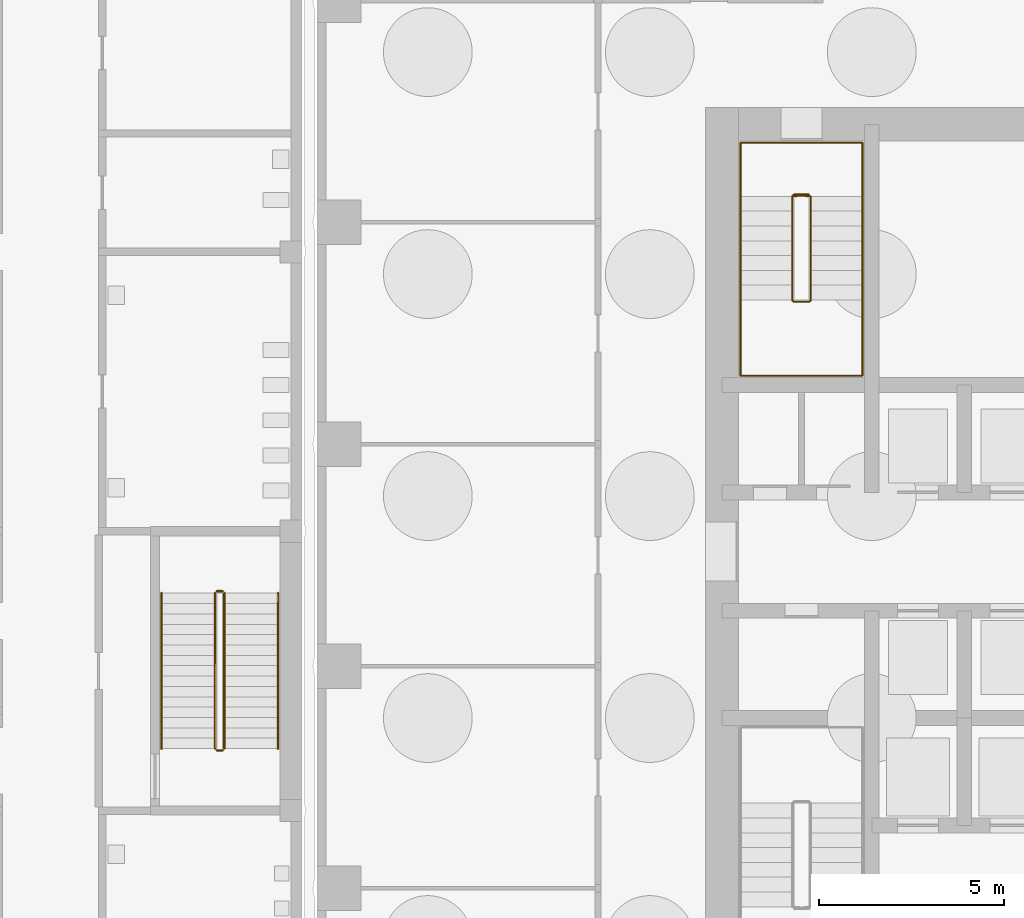
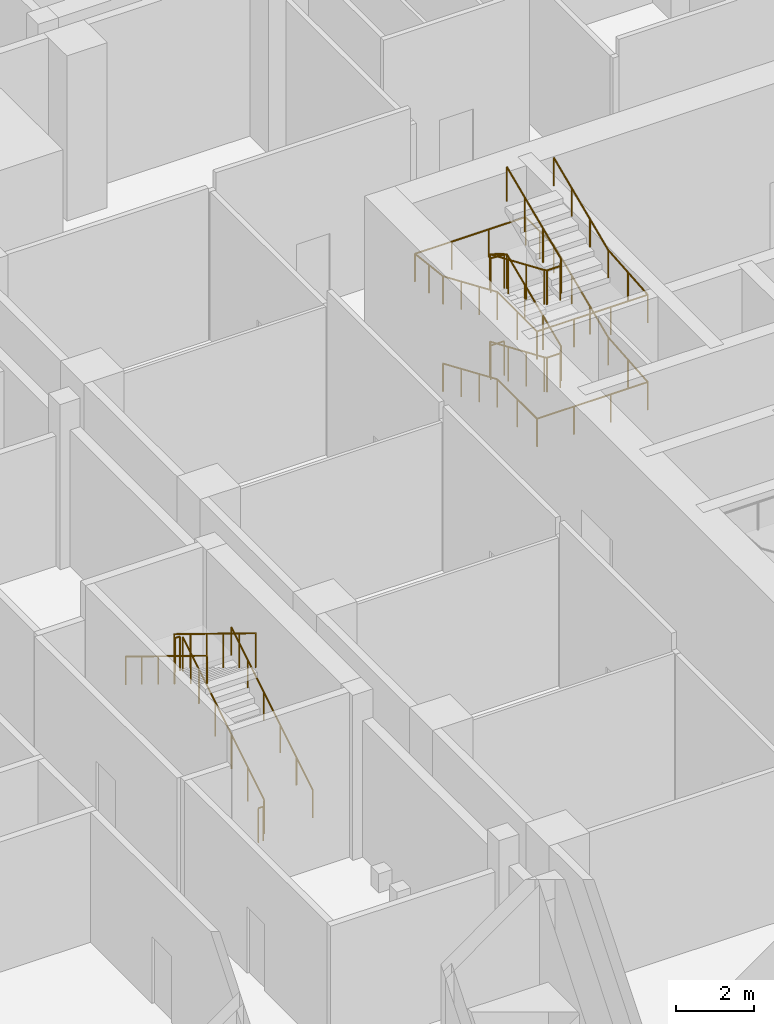
# One storey, part 26 of 33: 8 railings.
"""IFC4 building model written with IfcOpenShell, lengths in metres."""

from ifc_helpers import new_model, si_unit, direction, frame, origin, origin_2d, place, context, subcontext, project, spatial, circle, extrude, material, type_object, element, save


model = new_model("IFC4")

# Units and contexts
model_context = context("Model", 3, precision=1e-05, world=origin(), true_north=direction((0.0, 1.0)))
body_context = subcontext(model_context, "Body", "Model", "MODEL_VIEW")
ifc_project = project(units=[si_unit("LENGTHUNIT", "METRE"), si_unit("AREAUNIT", "SQUARE_METRE"), si_unit("VOLUMEUNIT", "CUBIC_METRE"), si_unit("PLANEANGLEUNIT", "RADIAN"), si_unit("MASSUNIT", "GRAM", prefix="KILO")], contexts=[model_context])

# Site, building, storey
site_placement = place(None, origin())
site = spatial("IfcSite", under=ifc_project, at=site_placement, CompositionType="ELEMENT")
building_placement = place(site_placement, origin())
building = spatial("IfcBuilding", under=site, at=building_placement, Name="Amberfall Residences", CompositionType="ELEMENT")
storey_placement = place(building_placement, origin())
storey = spatial("IfcBuildingStorey", under=building, at=storey_placement, Name="L00", CompositionType="ELEMENT", Elevation=0.0)

# Railings
ifc_material_1 = material(Name="Stainless steel", Category="steel")
railing_type_1 = type_object("IfcRailingType", Name="School stair guard 1100", PredefinedType="GUARDRAIL", material=ifc_material_1)
railing_1_placement = place(storey_placement, frame((49.5, 40.175048828125, 0.171875)))
element("IfcRailing", 1, at=railing_1_placement, inside=storey, type_object=railing_type_1, Name="L00 SS2 stair guard 1", PredefinedType="GUARDRAIL", context=body_context, shape_type="SweptSolid", body=[
    extrude(circle(Radius=0.02392578125, at=origin_2d()), frame((0.0, 0.0, 1.076171875), z_axis=(0.0, 0.852242915053, 0.523146264196), x_axis=(-1.0, 0.0, 0.0)), (0.0, 0.0, 1.0), 4.92822265625),
    extrude(circle(Radius=0.02099609375, at=origin_2d()), origin(), (0.0, 0.0, 1.0), 1.052001953125),
    extrude(circle(Radius=0.02099609375, at=origin_2d()), frame((0.0, 0.840087890625, 0.515625)), (0.0, 0.0, 1.0), 1.052001953125),
    extrude(circle(Radius=0.02099609375, at=origin_2d()), frame((0.0, 1.679931640625, 1.03125)), (0.0, 0.0, 1.0), 1.052001953125),
    extrude(circle(Radius=0.02099609375, at=origin_2d()), frame((0.0, 2.52001953125, 1.546875)), (0.0, 0.0, 1.0), 1.052001953125),
    extrude(circle(Radius=0.02099609375, at=origin_2d()), frame((0.0, 3.35986328125, 2.0625)), (0.0, 0.0, 1.0), 1.052001953125),
    extrude(circle(Radius=0.02099609375, at=origin_2d()), frame((0.0, 4.199951171875, 2.578125)), (0.0, 0.0, 1.0), 1.052001953125),
])
railing_2_placement = place(storey_placement, frame((49.449951171875, 44.425048828125, 2.75)))
element("IfcRailing", 2, at=railing_2_placement, inside=storey, type_object=railing_type_1, Name="L00 SS2 stair guard 2", PredefinedType="GUARDRAIL", context=body_context, shape_type="SweptSolid", body=[
    extrude(circle(Radius=0.02392578125, at=origin_2d()), frame((0.0, 0.0, 1.076171875), z_axis=(-1.0, 0.0, 0.0), x_axis=(0.0, -1.0, 0.0)), (0.0, 0.0, 1.0), 0.14990234375),
    extrude(circle(Radius=0.02099609375, at=origin_2d()), origin(), (0.0, 0.0, 1.0), 1.052001953125),
    extrude(circle(Radius=0.02099609375, at=origin_2d()), frame((-0.14990234375, 0.0, 0.0)), (0.0, 0.0, 1.0), 1.052001953125),
])
railing_3_placement = place(storey_placement, frame((49.25, 44.375, 2.921875)))
element("IfcRailing", 3, at=railing_3_placement, inside=storey, type_object=railing_type_1, Name="L00 SS2 stair guard 3", PredefinedType="GUARDRAIL", context=body_context, shape_type="SweptSolid", body=[
    extrude(circle(Radius=0.02392578125, at=origin_2d()), frame((0.0, 0.0, 1.076171875), z_axis=(0.0, -0.852242915053, 0.523146264196), x_axis=(1.0, 0.0, 0.0)), (0.0, 0.0, 1.0), 4.92822265625),
    extrude(circle(Radius=0.02099609375, at=origin_2d()), origin(), (0.0, 0.0, 1.0), 1.052001953125),
    extrude(circle(Radius=0.02099609375, at=origin_2d()), frame((0.0, -0.840087890625, 0.515625)), (0.0, 0.0, 1.0), 1.052001953125),
    extrude(circle(Radius=0.02099609375, at=origin_2d()), frame((0.0, -1.679931640625, 1.03125)), (0.0, 0.0, 1.0), 1.052001953125),
    extrude(circle(Radius=0.02099609375, at=origin_2d()), frame((0.0, -2.52001953125, 1.546875)), (0.0, 0.0, 1.0), 1.052001953125),
    extrude(circle(Radius=0.02099609375, at=origin_2d()), frame((0.0, -3.35986328125, 2.0625)), (0.0, 0.0, 1.0), 1.052001953125),
    extrude(circle(Radius=0.02099609375, at=origin_2d()), frame((0.0, -4.199951171875, 2.578125)), (0.0, 0.0, 1.0), 1.052001953125),
])
railing_4_placement = place(storey_placement, frame((49.449951171875, 40.125, 0.0)))
element("IfcRailing", 4, at=railing_4_placement, inside=storey, type_object=railing_type_1, Name="L00 SS2 stair guard 4", PredefinedType="GUARDRAIL", context=body_context, shape_type="SweptSolid", body=[
    extrude(circle(Radius=0.02392578125, at=origin_2d()), frame((0.0, 0.0, 1.076171875), z_axis=(-1.0, 0.0, 0.0), x_axis=(0.0, -1.0, 0.0)), (0.0, 0.0, 1.0), 0.14990234375),
    extrude(circle(Radius=0.02099609375, at=origin_2d()), origin(), (0.0, 0.0, 1.0), 1.052001953125),
    extrude(circle(Radius=0.02099609375, at=origin_2d()), frame((-0.14990234375, 0.0, 0.0)), (0.0, 0.0, 1.0), 1.052001953125),
])
railing_type_2 = type_object("IfcRailingType", Name="School stair handrail", PredefinedType="HANDRAIL", material=ifc_material_1)
railing_5_placement = place(storey_placement, frame((50.949951171875, 40.175048828125, 0.171875)))
element("IfcRailing", 5, at=railing_5_placement, inside=storey, type_object=railing_type_2, Name="L00 SS2 stair handrail 1", PredefinedType="HANDRAIL", context=body_context, shape_type="SweptSolid", body=[
    extrude(circle(Radius=0.02392578125, at=origin_2d()), frame((0.0, 0.0, 0.8759765625), z_axis=(0.0, 0.852242915053, 0.523146264196), x_axis=(-1.0, 0.0, 0.0)), (0.0, 0.0, 1.0), 4.92822265625),
    extrude(circle(Radius=0.02099609375, at=origin_2d()), origin(), (0.0, 0.0, 1.0), 0.851806640625),
    extrude(circle(Radius=0.02099609375, at=origin_2d()), frame((0.0, 0.840087890625, 0.515625)), (0.0, 0.0, 1.0), 0.851806640625),
    extrude(circle(Radius=0.02099609375, at=origin_2d()), frame((0.0, 1.679931640625, 1.03125)), (0.0, 0.0, 1.0), 0.851806640625),
    extrude(circle(Radius=0.02099609375, at=origin_2d()), frame((0.0, 2.52001953125, 1.546875)), (0.0, 0.0, 1.0), 0.851806640625),
    extrude(circle(Radius=0.02099609375, at=origin_2d()), frame((0.0, 3.35986328125, 2.0625)), (0.0, 0.0, 1.0), 0.851806640625),
    extrude(circle(Radius=0.02099609375, at=origin_2d()), frame((0.0, 4.199951171875, 2.578125)), (0.0, 0.0, 1.0), 0.851806640625),
])
railing_6_placement = place(storey_placement, frame((47.800048828125, 44.375, 2.921875)))
element("IfcRailing", 6, at=railing_6_placement, inside=storey, type_object=railing_type_2, Name="L00 SS2 stair handrail 2", PredefinedType="HANDRAIL", context=body_context, shape_type="SweptSolid", body=[
    extrude(circle(Radius=0.02392578125, at=origin_2d()), frame((0.0, 0.0, 0.8759765625), z_axis=(0.0, -0.852242915053, 0.523146264196), x_axis=(1.0, 0.0, 0.0)), (0.0, 0.0, 1.0), 4.92822265625),
    extrude(circle(Radius=0.02099609375, at=origin_2d()), origin(), (0.0, 0.0, 1.0), 0.851806640625),
    extrude(circle(Radius=0.02099609375, at=origin_2d()), frame((0.0, -0.840087890625, 0.515625)), (0.0, 0.0, 1.0), 0.851806640625),
    extrude(circle(Radius=0.02099609375, at=origin_2d()), frame((0.0, -1.679931640625, 1.03125)), (0.0, 0.0, 1.0), 0.851806640625),
    extrude(circle(Radius=0.02099609375, at=origin_2d()), frame((0.0, -2.52001953125, 1.546875)), (0.0, 0.0, 1.0), 0.851806640625),
    extrude(circle(Radius=0.02099609375, at=origin_2d()), frame((0.0, -3.35986328125, 2.0625)), (0.0, 0.0, 1.0), 0.851806640625),
    extrude(circle(Radius=0.02099609375, at=origin_2d()), frame((0.0, -4.199951171875, 2.578125)), (0.0, 0.0, 1.0), 0.851806640625),
])
ifc_material_2 = material(Name="Stainless steel 316", Category="steel")
railing_type_3 = type_object("IfcRailingType", Name="Stair guard 1100", PredefinedType="GUARDRAIL", material=ifc_material_2)
railing_7_placement = place(storey_placement, frame((65.300048828125, 55.14990234375, 0.0)))
element("IfcRailing", 7, at=railing_7_placement, inside=storey, type_object=railing_type_3, Name="L00 stair 4 guard", PredefinedType="GUARDRAIL", context=body_context, shape_type="SweptSolid", body=[
    extrude(circle(Radius=0.02392578125, at=origin_2d()), frame((0.0, 0.0, 1.076171875), z_axis=(-1.0, 0.0, 0.0), x_axis=(0.0, -1.0, 0.0)), (0.0, 0.0, 1.0), 0.400146484375),
    extrude(circle(Radius=0.02392578125, at=origin_2d()), frame((-0.400146484375, 0.0, 1.076171875), z_axis=(-0.268131537743, -0.268131537743, 0.92531667927), x_axis=(0.707106781187, -0.707106781187, 0.0)), (0.0, 0.0, 1.0), 0.185791015625),
    extrude(circle(Radius=0.02392578125, at=origin_2d()), frame((-0.449951171875, -0.0498046875, 1.248046875), z_axis=(0.0, -0.918775847296, 0.394779612475), x_axis=(1.0, 0.0, 0.0)), (0.0, 0.0, 1.0), 3.047607421875),
    extrude(circle(Radius=0.02392578125, at=origin_2d()), frame((-0.449951171875, -2.849853515625, 2.451171875), z_axis=(0.705375805398, -0.708833529934, 0.0), x_axis=(0.708833529934, 0.705375805398, 0.0)), (0.0, 0.0, 1.0), 0.070556640625),
    extrude(circle(Radius=0.02392578125, at=origin_2d()), frame((-0.400146484375, -2.89990234375, 2.451171875), z_axis=(1.0, 0.0, 0.0), x_axis=(0.0, 1.0, 0.0)), (0.0, 0.0, 1.0), 0.400146484375),
    extrude(circle(Radius=0.02392578125, at=origin_2d()), frame((0.0, -2.89990234375, 2.451171875), z_axis=(0.269255725606, 0.269255725606, 0.92466356501), x_axis=(-0.707106781187, 0.707106781187, 0.0)), (0.0, 0.0, 1.0), 0.185791015625),
    extrude(circle(Radius=0.02392578125, at=origin_2d()), frame((0.050048828125, -2.849853515625, 2.623046875), z_axis=(0.0, 0.918775847296, 0.394779612475), x_axis=(-1.0, 0.0, 0.0)), (0.0, 0.0, 1.0), 3.047607421875),
    extrude(circle(Radius=0.02392578125, at=origin_2d()), frame((0.050048828125, -0.0498046875, 3.826171875), z_axis=(-0.993936208423, 0.109958235639, 0.0), x_axis=(-0.109958235639, -0.993936208423, 0.0)), (0.0, 0.0, 1.0), 0.452880859375),
    extrude(circle(Radius=0.02392578125, at=origin_2d()), frame((-0.400146484375, 0.0, 3.826171875), z_axis=(1.0, 0.0, 0.0), x_axis=(0.0, 1.0, 0.0)), (0.0, 0.0, 1.0), 0.400146484375),
    extrude(circle(Radius=0.02392578125, at=origin_2d()), frame((0.0, 0.0, 3.826171875), z_axis=(-0.929211820962, -0.102853614474, 0.354945806813), x_axis=(0.110017176324, -0.993929686101, 0.0)), (0.0, 0.0, 1.0), 0.484130859375),
    extrude(circle(Radius=0.02392578125, at=origin_2d()), frame((-0.449951171875, -0.0498046875, 3.998046875), z_axis=(0.0, -0.918775847296, 0.394779612475), x_axis=(1.0, 0.0, 0.0)), (0.0, 0.0, 1.0), 3.047607421875),
    extrude(circle(Radius=0.02392578125, at=origin_2d()), frame((-0.449951171875, -2.849853515625, 5.201171875), z_axis=(0.705375805398, -0.708833529934, 0.0), x_axis=(0.708833529934, 0.705375805398, 0.0)), (0.0, 0.0, 1.0), 0.070556640625),
    extrude(circle(Radius=0.02392578125, at=origin_2d()), frame((-0.400146484375, -2.89990234375, 5.201171875), z_axis=(1.0, 0.0, 0.0), x_axis=(0.0, 1.0, 0.0)), (0.0, 0.0, 1.0), 0.400146484375),
    extrude(circle(Radius=0.02392578125, at=origin_2d()), frame((0.0, -2.89990234375, 5.201171875), z_axis=(0.269255725606, 0.269255725606, 0.92466356501), x_axis=(-0.707106781187, 0.707106781187, 0.0)), (0.0, 0.0, 1.0), 0.185791015625),
    extrude(circle(Radius=0.02392578125, at=origin_2d()), frame((0.050048828125, -2.849853515625, 5.373046875), z_axis=(0.0, 0.918775847296, 0.394779612475), x_axis=(-1.0, 0.0, 0.0)), (0.0, 0.0, 1.0), 3.047607421875),
    extrude(circle(Radius=0.02099609375, at=origin_2d()), origin(), (0.0, 0.0, 1.0), 1.052001953125),
    extrude(circle(Radius=0.02099609375, at=origin_2d()), frame((-0.400146484375, 0.0, 0.0)), (0.0, 0.0, 1.0), 1.052001953125),
    extrude(circle(Radius=0.02099609375, at=origin_2d()), frame((-0.449951171875, -0.0498046875, 0.171875)), (0.0, 0.0, 1.0), 1.052001953125),
    extrude(circle(Radius=0.02099609375, at=origin_2d()), frame((-0.449951171875, -0.983154296875, 0.572998046875)), (0.0, 0.0, 1.0), 1.052001953125),
    extrude(circle(Radius=0.02099609375, at=origin_2d()), frame((-0.449951171875, -1.91650390625, 0.973876953125)), (0.0, 0.0, 1.0), 1.052001953125),
    extrude(circle(Radius=0.02099609375, at=origin_2d()), frame((-0.449951171875, -2.849853515625, 1.375)), (0.0, 0.0, 1.0), 1.052001953125),
    extrude(circle(Radius=0.02099609375, at=origin_2d()), frame((-0.400146484375, -2.89990234375, 1.375)), (0.0, 0.0, 1.0), 1.052001953125),
    extrude(circle(Radius=0.02099609375, at=origin_2d()), frame((0.0, -2.89990234375, 1.375)), (0.0, 0.0, 1.0), 1.052001953125),
    extrude(circle(Radius=0.02099609375, at=origin_2d()), frame((0.050048828125, -2.849853515625, 1.546875)), (0.0, 0.0, 1.0), 1.052001953125),
    extrude(circle(Radius=0.02099609375, at=origin_2d()), frame((0.050048828125, -1.91650390625, 1.947998046875)), (0.0, 0.0, 1.0), 1.052001953125),
    extrude(circle(Radius=0.02099609375, at=origin_2d()), frame((0.050048828125, -0.983154296875, 2.348876953125)), (0.0, 0.0, 1.0), 1.052001953125),
    extrude(circle(Radius=0.02099609375, at=origin_2d()), frame((0.050048828125, -0.0498046875, 2.75)), (0.0, 0.0, 1.0), 1.052001953125),
    extrude(circle(Radius=0.02099609375, at=origin_2d()), frame((-0.400146484375, 0.0, 2.75)), (0.0, 0.0, 1.0), 1.052001953125),
    extrude(circle(Radius=0.02099609375, at=origin_2d()), frame((0.0, 0.0, 2.75)), (0.0, 0.0, 1.0), 1.052001953125),
    extrude(circle(Radius=0.02099609375, at=origin_2d()), frame((-0.449951171875, -0.0498046875, 2.921875)), (0.0, 0.0, 1.0), 1.052001953125),
    extrude(circle(Radius=0.02099609375, at=origin_2d()), frame((-0.449951171875, -0.983154296875, 3.322998046875)), (0.0, 0.0, 1.0), 1.052001953125),
    extrude(circle(Radius=0.02099609375, at=origin_2d()), frame((-0.449951171875, -1.91650390625, 3.723876953125)), (0.0, 0.0, 1.0), 1.052001953125),
    extrude(circle(Radius=0.02099609375, at=origin_2d()), frame((-0.449951171875, -2.849853515625, 4.125)), (0.0, 0.0, 1.0), 1.052001953125),
    extrude(circle(Radius=0.02099609375, at=origin_2d()), frame((-0.400146484375, -2.89990234375, 4.125)), (0.0, 0.0, 1.0), 1.052001953125),
    extrude(circle(Radius=0.02099609375, at=origin_2d()), frame((0.0, -2.89990234375, 4.125)), (0.0, 0.0, 1.0), 1.052001953125),
    extrude(circle(Radius=0.02099609375, at=origin_2d()), frame((0.050048828125, -2.849853515625, 4.296875)), (0.0, 0.0, 1.0), 1.052001953125),
    extrude(circle(Radius=0.02099609375, at=origin_2d()), frame((0.050048828125, -1.91650390625, 4.697998046875)), (0.0, 0.0, 1.0), 1.052001953125),
    extrude(circle(Radius=0.02099609375, at=origin_2d()), frame((0.050048828125, -0.983154296875, 5.098876953125)), (0.0, 0.0, 1.0), 1.052001953125),
    extrude(circle(Radius=0.02099609375, at=origin_2d()), frame((0.050048828125, -0.0498046875, 5.5)), (0.0, 0.0, 1.0), 1.052001953125),
])
railing_type_4 = type_object("IfcRailingType", Name="Stair handrail 900", PredefinedType="HANDRAIL", material=ifc_material_2)
railing_8_placement = place(storey_placement, frame((63.449951171875, 55.10009765625, 0.171875)))
element("IfcRailing", 8, at=railing_8_placement, inside=storey, type_object=railing_type_4, Name="L00 stair 4 handrail", PredefinedType="HANDRAIL", context=body_context, shape_type="SweptSolid", body=[
    extrude(circle(Radius=0.02392578125, at=origin_2d()), frame((0.0, 0.0, 0.8759765625), z_axis=(0.0, -0.918775847296, 0.394779612475), x_axis=(1.0, 0.0, 0.0)), (0.0, 0.0, 1.0), 3.047607421875),
    extrude(circle(Radius=0.02392578125, at=origin_2d()), frame((0.0, -2.800048828125, 2.0791015625), z_axis=(0.0, -1.0, 0.0), x_axis=(1.0, 0.0, 0.0)), (0.0, 0.0, 1.0), 2.050048828125),
    extrude(circle(Radius=0.02392578125, at=origin_2d()), frame((0.0, -4.85009765625, 2.0791015625), z_axis=(1.0, 0.0, 0.0), x_axis=(0.0, 1.0, 0.0)), (0.0, 0.0, 1.0), 3.300048828125),
    extrude(circle(Radius=0.02392578125, at=origin_2d()), frame((3.300048828125, -4.85009765625, 2.0791015625), z_axis=(0.0, 0.996503891927, 0.083546354641), x_axis=(-1.0, 0.0, 0.0)), (0.0, 0.0, 1.0), 2.05712890625),
    extrude(circle(Radius=0.02392578125, at=origin_2d()), frame((3.300048828125, -2.800048828125, 2.2509765625), z_axis=(0.0, 0.918775847296, 0.394779612475), x_axis=(-1.0, 0.0, 0.0)), (0.0, 0.0, 1.0), 3.047607421875),
    extrude(circle(Radius=0.02392578125, at=origin_2d()), frame((3.300048828125, 0.0, 3.4541015625), z_axis=(0.0, 1.0, 0.0), x_axis=(-1.0, 0.0, 0.0)), (0.0, 0.0, 1.0), 1.449951171875),
    extrude(circle(Radius=0.02392578125, at=origin_2d()), frame((3.300048828125, 1.449951171875, 3.4541015625), z_axis=(-1.0, 0.0, 0.0), x_axis=(0.0, -1.0, 0.0)), (0.0, 0.0, 1.0), 3.300048828125),
    extrude(circle(Radius=0.02392578125, at=origin_2d()), frame((0.0, 1.449951171875, 3.4541015625), z_axis=(0.0, -0.993047498959, 0.117714335623), x_axis=(1.0, 0.0, 0.0)), (0.0, 0.0, 1.0), 1.460205078125),
    extrude(circle(Radius=0.02392578125, at=origin_2d()), frame((0.0, 0.0, 3.6259765625), z_axis=(0.0, -0.918775847296, 0.394779612475), x_axis=(1.0, 0.0, 0.0)), (0.0, 0.0, 1.0), 3.047607421875),
    extrude(circle(Radius=0.02392578125, at=origin_2d()), frame((0.0, -2.800048828125, 4.8291015625), z_axis=(0.0, -1.0, 0.0), x_axis=(1.0, 0.0, 0.0)), (0.0, 0.0, 1.0), 2.050048828125),
    extrude(circle(Radius=0.02392578125, at=origin_2d()), frame((0.0, -4.85009765625, 4.8291015625), z_axis=(1.0, 0.0, 0.0), x_axis=(0.0, 1.0, 0.0)), (0.0, 0.0, 1.0), 3.300048828125),
    extrude(circle(Radius=0.02392578125, at=origin_2d()), frame((3.300048828125, -4.85009765625, 4.8291015625), z_axis=(0.0, 0.996503891927, 0.083546354641), x_axis=(-1.0, 0.0, 0.0)), (0.0, 0.0, 1.0), 2.05712890625),
    extrude(circle(Radius=0.02392578125, at=origin_2d()), frame((3.300048828125, -2.800048828125, 5.0009765625), z_axis=(0.0, 0.918775847296, 0.394779612475), x_axis=(-1.0, 0.0, 0.0)), (0.0, 0.0, 1.0), 3.047607421875),
    extrude(circle(Radius=0.02099609375, at=origin_2d()), origin(), (0.0, 0.0, 1.0), 0.851806640625),
    extrude(circle(Radius=0.02099609375, at=origin_2d()), frame((0.0, -0.933349609375, 0.401123046875)), (0.0, 0.0, 1.0), 0.851806640625),
    extrude(circle(Radius=0.02099609375, at=origin_2d()), frame((0.0, -1.86669921875, 0.802001953125)), (0.0, 0.0, 1.0), 0.851806640625),
    extrude(circle(Radius=0.02099609375, at=origin_2d()), frame((0.0, -2.800048828125, 1.203125)), (0.0, 0.0, 1.0), 0.851806640625),
    extrude(circle(Radius=0.02099609375, at=origin_2d()), frame((0.0, -3.8251953125, 1.203125)), (0.0, 0.0, 1.0), 0.851806640625),
    extrude(circle(Radius=0.02099609375, at=origin_2d()), frame((0.0, -4.85009765625, 1.203125)), (0.0, 0.0, 1.0), 0.851806640625),
    extrude(circle(Radius=0.02099609375, at=origin_2d()), frame((1.10009765625, -4.85009765625, 1.203125)), (0.0, 0.0, 1.0), 0.851806640625),
    extrude(circle(Radius=0.02099609375, at=origin_2d()), frame((2.199951171875, -4.85009765625, 1.203125)), (0.0, 0.0, 1.0), 0.851806640625),
    extrude(circle(Radius=0.02099609375, at=origin_2d()), frame((3.300048828125, -4.85009765625, 1.203125)), (0.0, 0.0, 1.0), 0.851806640625),
    extrude(circle(Radius=0.02099609375, at=origin_2d()), frame((3.300048828125, -3.8251953125, 1.2890625)), (0.0, 0.0, 1.0), 0.851806640625),
    extrude(circle(Radius=0.02099609375, at=origin_2d()), frame((3.300048828125, -2.800048828125, 1.375)), (0.0, 0.0, 1.0), 0.851806640625),
    extrude(circle(Radius=0.02099609375, at=origin_2d()), frame((3.300048828125, -1.86669921875, 1.776123046875)), (0.0, 0.0, 1.0), 0.851806640625),
    extrude(circle(Radius=0.02099609375, at=origin_2d()), frame((3.300048828125, -0.933349609375, 2.177001953125)), (0.0, 0.0, 1.0), 0.851806640625),
    extrude(circle(Radius=0.02099609375, at=origin_2d()), frame((3.300048828125, 0.0, 2.578125)), (0.0, 0.0, 1.0), 0.851806640625),
    extrude(circle(Radius=0.02099609375, at=origin_2d()), frame((3.300048828125, 0.72509765625, 2.578125)), (0.0, 0.0, 1.0), 0.851806640625),
    extrude(circle(Radius=0.02099609375, at=origin_2d()), frame((3.300048828125, 1.449951171875, 2.578125)), (0.0, 0.0, 1.0), 0.851806640625),
    extrude(circle(Radius=0.02099609375, at=origin_2d()), frame((2.199951171875, 1.449951171875, 2.578125)), (0.0, 0.0, 1.0), 0.851806640625),
    extrude(circle(Radius=0.02099609375, at=origin_2d()), frame((1.10009765625, 1.449951171875, 2.578125)), (0.0, 0.0, 1.0), 0.851806640625),
    extrude(circle(Radius=0.02099609375, at=origin_2d()), frame((0.0, 1.449951171875, 2.578125)), (0.0, 0.0, 1.0), 0.851806640625),
    extrude(circle(Radius=0.02099609375, at=origin_2d()), frame((0.0, 0.72509765625, 2.6640625)), (0.0, 0.0, 1.0), 0.851806640625),
    extrude(circle(Radius=0.02099609375, at=origin_2d()), frame((0.0, 0.0, 2.75)), (0.0, 0.0, 1.0), 0.851806640625),
    extrude(circle(Radius=0.02099609375, at=origin_2d()), frame((0.0, -0.933349609375, 3.151123046875)), (0.0, 0.0, 1.0), 0.851806640625),
    extrude(circle(Radius=0.02099609375, at=origin_2d()), frame((0.0, -1.86669921875, 3.552001953125)), (0.0, 0.0, 1.0), 0.851806640625),
    extrude(circle(Radius=0.02099609375, at=origin_2d()), frame((0.0, -2.800048828125, 3.953125)), (0.0, 0.0, 1.0), 0.851806640625),
    extrude(circle(Radius=0.02099609375, at=origin_2d()), frame((0.0, -3.8251953125, 3.953125)), (0.0, 0.0, 1.0), 0.851806640625),
    extrude(circle(Radius=0.02099609375, at=origin_2d()), frame((0.0, -4.85009765625, 3.953125)), (0.0, 0.0, 1.0), 0.851806640625),
    extrude(circle(Radius=0.02099609375, at=origin_2d()), frame((1.10009765625, -4.85009765625, 3.953125)), (0.0, 0.0, 1.0), 0.851806640625),
    extrude(circle(Radius=0.02099609375, at=origin_2d()), frame((2.199951171875, -4.85009765625, 3.953125)), (0.0, 0.0, 1.0), 0.851806640625),
    extrude(circle(Radius=0.02099609375, at=origin_2d()), frame((3.300048828125, -4.85009765625, 3.953125)), (0.0, 0.0, 1.0), 0.851806640625),
    extrude(circle(Radius=0.02099609375, at=origin_2d()), frame((3.300048828125, -3.8251953125, 4.0390625)), (0.0, 0.0, 1.0), 0.851806640625),
    extrude(circle(Radius=0.02099609375, at=origin_2d()), frame((3.300048828125, -2.800048828125, 4.125)), (0.0, 0.0, 1.0), 0.851806640625),
    extrude(circle(Radius=0.02099609375, at=origin_2d()), frame((3.300048828125, -1.86669921875, 4.526123046875)), (0.0, 0.0, 1.0), 0.851806640625),
    extrude(circle(Radius=0.02099609375, at=origin_2d()), frame((3.300048828125, -0.933349609375, 4.927001953125)), (0.0, 0.0, 1.0), 0.851806640625),
    extrude(circle(Radius=0.02099609375, at=origin_2d()), frame((3.300048828125, 0.0, 5.328125)), (0.0, 0.0, 1.0), 0.851806640625),
])

save(model, "model.ifc")
